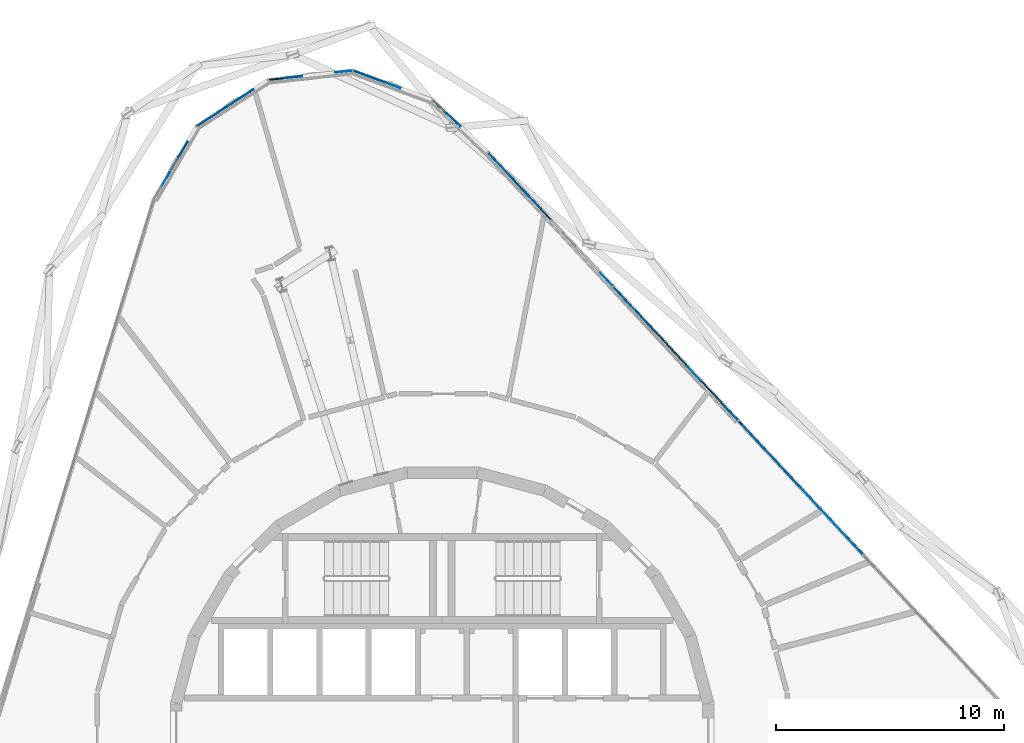
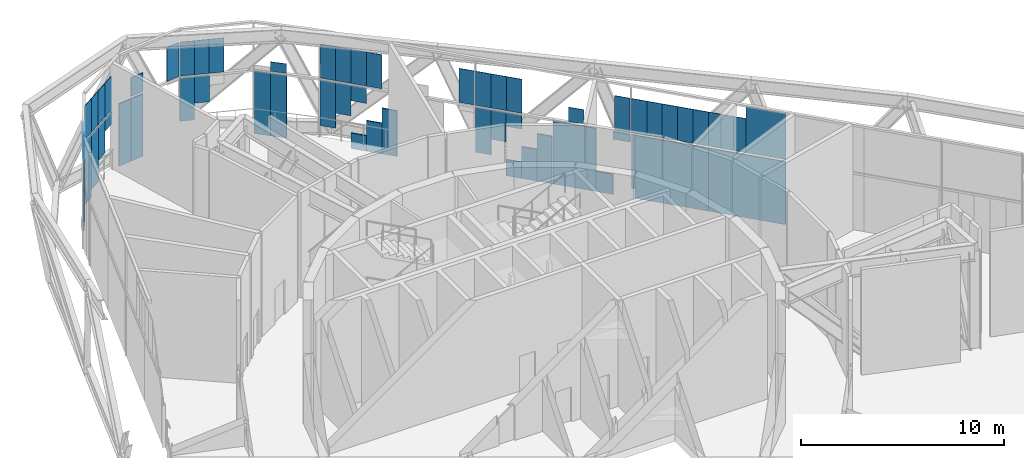
# One storey, part 16 of 25: 61 plates, 2 elements without a shape of their own.
"""IFC4 building model written with IfcOpenShell, lengths in metres."""

from ifc_helpers import new_model, si_unit, direction, frame, origin, origin_2d, place, context, subcontext, project, spatial, rectangle, extrude, material, layer, layer_set, type_object, element, aggregate, save


model = new_model("IFC4")

# Units and contexts
model_context = context("Model", 3, precision=1e-05, world=origin(), true_north=direction((0.0, 1.0)))
body_context = subcontext(model_context, "Body", "Model", "MODEL_VIEW")
ifc_project = project(units=[si_unit("LENGTHUNIT", "METRE"), si_unit("AREAUNIT", "SQUARE_METRE"), si_unit("VOLUMEUNIT", "CUBIC_METRE"), si_unit("PLANEANGLEUNIT", "RADIAN"), si_unit("MASSUNIT", "GRAM", prefix="KILO")], contexts=[model_context])

# Site, building, storey
site_placement = place(None, origin())
site = spatial("IfcSite", under=ifc_project, at=site_placement, CompositionType="ELEMENT")
building_placement = place(site_placement, origin())
building = spatial("IfcBuilding", under=site, at=building_placement, Name="Spindle Arch Residences", CompositionType="ELEMENT")
storey_placement = place(building_placement, frame((0.0, 0.0, 144.89990234375)))
storey = spatial("IfcBuildingStorey", under=building, at=storey_placement, Name="L36", CompositionType="ELEMENT", Elevation=144.89990234375)

# Curtain wall, plates
ifc_material_1 = material(Name="Aluminium bronze unitised frame with tinted glass", Category="aluminium")
ifc_layer_1 = layer(ifc_material_1, 0.159912109375)
ifc_layer_set_1 = layer_set([ifc_layer_1], Name="CW-E double-height winter garden wall")
curtain_wall_type = type_object("IfcCurtainWallType", Name="CW-E double-height winter garden wall", PredefinedType="NOTDEFINED", material=ifc_layer_set_1)
curtain_wall_1_placement = place(storey_placement, origin())
curtain_wall_1 = element("IfcCurtainWall", 1, at=curtain_wall_1_placement, inside=storey, type_object=curtain_wall_type, Name="CW-E L36 run 2", PredefinedType="NOTDEFINED")
ifc_material_2 = material(Name="Tinted laminated glass 28 mm", Category="glass")
ifc_layer_2 = layer(ifc_material_2, 0.028076171875)
ifc_layer_set_2 = layer_set([ifc_layer_2], Name="Tinted glass panel 28 mm")
plate_type_1 = type_object("IfcPlateType", Name="Tinted glass panel 28 mm", PredefinedType="CURTAIN_PANEL", material=ifc_layer_set_2)
plate_1_placement = place(storey_placement, frame((17.717529296875, 8.81689453125, 3.460205078125), z_axis=(0.0, 0.0, 1.0), x_axis=(-0.681998360062, 0.731353701619, 0.0)))
plate_1 = element("IfcPlate", 2, at=plate_1_placement, type_object=plate_type_1, Name="CW-E panel 06Ab.1", PredefinedType="CURTAIN_PANEL", context=body_context, shape_type="SweptSolid", body=[
    extrude(rectangle(XDim=2.0517578125, YDim=0.028076171875, at=origin_2d()), origin(), (0.0, 0.0, 1.0), 2.77001953125),
])
plate_2_placement = place(storey_placement, frame((16.798095703125, 9.802734375, 3.460205078125), z_axis=(0.0, 0.0, 1.0), x_axis=(-0.681998360062, 0.731353701619, 0.0)))
plate_2 = element("IfcPlate", 3, at=plate_2_placement, type_object=plate_type_1, Name="CW-E panel 06Ab.2", PredefinedType="CURTAIN_PANEL", context=body_context, shape_type="SweptSolid", body=[
    extrude(rectangle(XDim=0.644287109375, YDim=0.028076171875, at=origin_2d()), origin(), (0.0, 0.0, 1.0), 2.0458984375),
])
plate_3_placement = place(storey_placement, frame((16.35888671875, 10.27392578125, 3.460205078125), z_axis=(0.0, 0.0, 1.0), x_axis=(-0.681998360062, 0.731353701619, 0.0)))
plate_3 = element("IfcPlate", 4, at=plate_3_placement, type_object=plate_type_1, Name="CW-E panel 06Ab.3", PredefinedType="CURTAIN_PANEL", context=body_context, shape_type="SweptSolid", body=[
    extrude(rectangle(XDim=0.644287109375, YDim=0.028076171875, at=origin_2d()), origin(), (0.0, 0.0, 1.0), 2.0458984375),
])
plate_4_placement = place(storey_placement, frame((15.91943359375, 10.7451171875, 3.460205078125), z_axis=(0.0, 0.0, 1.0), x_axis=(-0.681998360062, 0.731353701619, 0.0)))
plate_4 = element("IfcPlate", 5, at=plate_4_placement, type_object=plate_type_1, Name="CW-E panel 06Ab.4", PredefinedType="CURTAIN_PANEL", context=body_context, shape_type="SweptSolid", body=[
    extrude(rectangle(XDim=0.644287109375, YDim=0.028076171875, at=origin_2d()), origin(), (0.0, 0.0, 1.0), 2.0458984375),
])
plate_5_placement = place(storey_placement, frame((15.427978515625, 11.272216796875, 3.460205078125), z_axis=(0.0, 0.0, 1.0), x_axis=(-0.681998360062, 0.731353701619, 0.0)))
plate_5 = element("IfcPlate", 6, at=plate_5_placement, type_object=plate_type_1, Name="CW-E panel 06Bb.1", PredefinedType="CURTAIN_PANEL", context=body_context, shape_type="SweptSolid", body=[
    extrude(rectangle(XDim=0.796875, YDim=0.028076171875, at=origin_2d()), origin(), (0.0, 0.0, 1.0), 2.0458984375),
])
plate_6_placement = place(storey_placement, frame((14.884521484375, 11.85498046875, 3.460205078125), z_axis=(0.0, 0.0, 1.0), x_axis=(-0.681998360062, 0.731353701619, 0.0)))
plate_6 = element("IfcPlate", 7, at=plate_6_placement, type_object=plate_type_1, Name="CW-E panel 06Bb.2", PredefinedType="CURTAIN_PANEL", context=body_context, shape_type="SweptSolid", body=[
    extrude(rectangle(XDim=0.796875, YDim=0.028076171875, at=origin_2d()), origin(), (0.0, 0.0, 1.0), 2.0458984375),
])
plate_7_placement = place(storey_placement, frame((14.341064453125, 12.437744140625, 3.460205078125), z_axis=(0.0, 0.0, 1.0), x_axis=(-0.681998360062, 0.731353701619, 0.0)))
plate_7 = element("IfcPlate", 8, at=plate_7_placement, type_object=plate_type_1, Name="CW-E panel 06Bb.3", PredefinedType="CURTAIN_PANEL", context=body_context, shape_type="SweptSolid", body=[
    extrude(rectangle(XDim=0.796875, YDim=0.028076171875, at=origin_2d()), origin(), (0.0, 0.0, 1.0), 2.0458984375),
])
plate_8_placement = place(storey_placement, frame((13.797607421875, 13.020751953125, 3.460205078125), z_axis=(0.0, 0.0, 1.0), x_axis=(-0.681998360062, 0.731353701619, 0.0)))
plate_8 = element("IfcPlate", 9, at=plate_8_placement, type_object=plate_type_1, Name="CW-E panel 06Bb.4", PredefinedType="CURTAIN_PANEL", context=body_context, shape_type="SweptSolid", body=[
    extrude(rectangle(XDim=0.796875, YDim=0.028076171875, at=origin_2d()), origin(), (0.0, 0.0, 1.0), 2.0458984375),
])
plate_9_placement = place(storey_placement, frame((13.25390625, 13.603515625, 3.460205078125), z_axis=(0.0, 0.0, 1.0), x_axis=(-0.681998360062, 0.731353701619, 0.0)))
plate_9 = element("IfcPlate", 10, at=plate_9_placement, type_object=plate_type_1, Name="CW-E panel 06Bb.5", PredefinedType="CURTAIN_PANEL", context=body_context, shape_type="SweptSolid", body=[
    extrude(rectangle(XDim=0.796875, YDim=0.028076171875, at=origin_2d()), origin(), (0.0, 0.0, 1.0), 2.0458984375),
])
plate_10_placement = place(storey_placement, frame((12.669677734375, 14.230224609375, 3.460205078125), z_axis=(0.0, 0.0, 1.0), x_axis=(-0.681998360062, 0.731353701619, 0.0)))
plate_10 = element("IfcPlate", 11, at=plate_10_placement, type_object=plate_type_1, Name="CW-E panel 07Ab.1", PredefinedType="CURTAIN_PANEL", context=body_context, shape_type="SweptSolid", body=[
    extrude(rectangle(XDim=0.796875, YDim=0.028076171875, at=origin_2d()), origin(), (0.0, 0.0, 1.0), 2.0458984375),
])
plate_11_placement = place(storey_placement, frame((11.0390625, 15.978759765625, 3.460205078125), z_axis=(0.0, 0.0, 1.0), x_axis=(-0.681998360062, 0.731353701619, 0.0)))
plate_11 = element("IfcPlate", 12, at=plate_11_placement, type_object=plate_type_1, Name="CW-E panel 07Ab.2", PredefinedType="CURTAIN_PANEL", context=body_context, shape_type="SweptSolid", body=[
    extrude(rectangle(XDim=0.796875, YDim=0.028076171875, at=origin_2d()), origin(), (0.0, 0.0, 1.0), 0.865234375),
])
plate_12_placement = place(storey_placement, frame((8.864990234375, 18.31005859375, 3.460205078125), z_axis=(0.0, 0.0, 1.0), x_axis=(-0.681998360062, 0.731353701619, 0.0)))
plate_12 = element("IfcPlate", 13, at=plate_12_placement, type_object=plate_type_1, Name="CW-E panel 07Bb.1", PredefinedType="CURTAIN_PANEL", context=body_context, shape_type="SweptSolid", body=[
    extrude(rectangle(XDim=0.796875, YDim=0.028076171875, at=origin_2d()), origin(), (0.0, 0.0, 1.0), 2.0458984375),
])
plate_13_placement = place(storey_placement, frame((8.321533203125, 18.892822265625, 3.460205078125), z_axis=(0.0, 0.0, 1.0), x_axis=(-0.681998360062, 0.731353701619, 0.0)))
plate_13 = element("IfcPlate", 14, at=plate_13_placement, type_object=plate_type_1, Name="CW-E panel 07Bb.2", PredefinedType="CURTAIN_PANEL", context=body_context, shape_type="SweptSolid", body=[
    extrude(rectangle(XDim=0.796875, YDim=0.028076171875, at=origin_2d()), origin(), (0.0, 0.0, 1.0), 2.0458984375),
])
plate_14_placement = place(storey_placement, frame((7.778076171875, 19.4755859375, 3.460205078125), z_axis=(0.0, 0.0, 1.0), x_axis=(-0.681998360062, 0.731353701619, 0.0)))
plate_14 = element("IfcPlate", 15, at=plate_14_placement, type_object=plate_type_1, Name="CW-E panel 07Bb.3", PredefinedType="CURTAIN_PANEL", context=body_context, shape_type="SweptSolid", body=[
    extrude(rectangle(XDim=0.796875, YDim=0.028076171875, at=origin_2d()), origin(), (0.0, 0.0, 1.0), 2.0458984375),
])
plate_15_placement = place(storey_placement, frame((7.193603515625, 20.102294921875, 3.460205078125), z_axis=(0.0, 0.0, 1.0), x_axis=(-0.681998360062, 0.731353701619, 0.0)))
plate_15 = element("IfcPlate", 16, at=plate_15_placement, type_object=plate_type_1, Name="CW-E panel 08Ab.1", PredefinedType="CURTAIN_PANEL", context=body_context, shape_type="SweptSolid", body=[
    extrude(rectangle(XDim=0.796875, YDim=0.028076171875, at=origin_2d()), origin(), (0.0, 0.0, 1.0), 2.0458984375),
])
plate_16_placement = place(storey_placement, frame((3.9326171875, 23.599365234375, 3.460205078125), z_axis=(0.0, 0.0, 1.0), x_axis=(-0.681998360062, 0.731353701619, 0.0)))
plate_16 = element("IfcPlate", 17, at=plate_16_placement, type_object=plate_type_1, Name="CW-E panel 08Bb.1", PredefinedType="CURTAIN_PANEL", context=body_context, shape_type="SweptSolid", body=[
    extrude(rectangle(XDim=0.796875, YDim=0.028076171875, at=origin_2d()), origin(), (0.0, 0.0, 1.0), 2.0458984375),
])
plate_17_placement = place(storey_placement, frame((3.38916015625, 24.18212890625, 3.460205078125), z_axis=(0.0, 0.0, 1.0), x_axis=(-0.681998360062, 0.731353701619, 0.0)))
plate_17 = element("IfcPlate", 18, at=plate_17_placement, type_object=plate_type_1, Name="CW-E panel 08Bb.2", PredefinedType="CURTAIN_PANEL", context=body_context, shape_type="SweptSolid", body=[
    extrude(rectangle(XDim=0.796875, YDim=0.028076171875, at=origin_2d()), origin(), (0.0, 0.0, 1.0), 2.0458984375),
])
plate_18_placement = place(storey_placement, frame((2.845703125, 24.764892578125, 3.460205078125), z_axis=(0.0, 0.0, 1.0), x_axis=(-0.681998360062, 0.731353701619, 0.0)))
plate_18 = element("IfcPlate", 19, at=plate_18_placement, type_object=plate_type_1, Name="CW-E panel 08Bb.3", PredefinedType="CURTAIN_PANEL", context=body_context, shape_type="SweptSolid", body=[
    extrude(rectangle(XDim=0.796875, YDim=0.028076171875, at=origin_2d()), origin(), (0.0, 0.0, 1.0), 2.0458984375),
])
plate_19_placement = place(storey_placement, frame((2.30224609375, 25.347900390625, 3.460205078125), z_axis=(0.0, 0.0, 1.0), x_axis=(-0.681998360062, 0.731353701619, 0.0)))
plate_19 = element("IfcPlate", 20, at=plate_19_placement, type_object=plate_type_1, Name="CW-E panel 08Bb.4", PredefinedType="CURTAIN_PANEL", context=body_context, shape_type="SweptSolid", body=[
    extrude(rectangle(XDim=0.796875, YDim=0.028076171875, at=origin_2d()), origin(), (0.0, 0.0, 1.0), 2.0458984375),
])

curtain_wall_2_placement = place(storey_placement, origin())
curtain_wall_2 = element("IfcCurtainWall", 21, at=curtain_wall_2_placement, inside=storey, type_object=curtain_wall_type, Name="CW-E L36 run 3", PredefinedType="NOTDEFINED")
plate_20_placement = place(storey_placement, frame((0.496337890625, 27.08544921875, 3.460205078125), z_axis=(0.0, 0.0, 1.0), x_axis=(-0.728270412102, 0.685289870681, 0.0)))
plate_20 = element("IfcPlate", 22, at=plate_20_placement, type_object=plate_type_1, Name="CW-E panel 00b.1", PredefinedType="CURTAIN_PANEL", context=body_context, shape_type="SweptSolid", body=[
    extrude(rectangle(XDim=0.8193359375, YDim=0.028076171875, at=origin_2d()), origin(), (0.0, 0.0, 1.0), 0.56591796875),
])
plate_21_placement = place(storey_placement, frame((-2.16796875, 28.595703125, 3.460205078125), z_axis=(0.0, 0.0, 1.0), x_axis=(-0.937686936403, 0.347481235896, 0.0)))
plate_21 = element("IfcPlate", 23, at=plate_21_placement, type_object=plate_type_1, Name="CW-E panel 01b.1", PredefinedType="CURTAIN_PANEL", context=body_context, shape_type="SweptSolid", body=[
    extrude(rectangle(XDim=0.7333984375, YDim=0.028076171875, at=origin_2d()), origin(), (0.0, 0.0, 1.0), 2.0458984375),
])
plate_22_placement = place(storey_placement, frame((-2.85546875, 28.8505859375, 3.460205078125), z_axis=(0.0, 0.0, 1.0), x_axis=(-0.937686936403, 0.347481235896, 0.0)))
plate_22 = element("IfcPlate", 24, at=plate_22_placement, type_object=plate_type_1, Name="CW-E panel 01b.2", PredefinedType="CURTAIN_PANEL", context=body_context, shape_type="SweptSolid", body=[
    extrude(rectangle(XDim=0.7333984375, YDim=0.028076171875, at=origin_2d()), origin(), (0.0, 0.0, 1.0), 2.0458984375),
])
plate_23_placement = place(storey_placement, frame((-3.543212890625, 29.10546875, 3.460205078125), z_axis=(0.0, 0.0, 1.0), x_axis=(-0.937686936403, 0.347481235896, 0.0)))
plate_23 = element("IfcPlate", 25, at=plate_23_placement, type_object=plate_type_1, Name="CW-E panel 01b.3", PredefinedType="CURTAIN_PANEL", context=body_context, shape_type="SweptSolid", body=[
    extrude(rectangle(XDim=0.7333984375, YDim=0.028076171875, at=origin_2d()), origin(), (0.0, 0.0, 1.0), 2.0458984375),
])
plate_24_placement = place(storey_placement, frame((-4.309326171875, 29.199462890625, 3.460205078125), z_axis=(0.0, 0.0, 1.0), x_axis=(-0.993896946294, -0.110312556619, 0.0)))
plate_24 = element("IfcPlate", 26, at=plate_24_placement, type_object=plate_type_1, Name="CW-E panel 02b.1", PredefinedType="CURTAIN_PANEL", context=body_context, shape_type="SweptSolid", body=[
    extrude(rectangle(XDim=0.7333984375, YDim=0.028076171875, at=origin_2d()), origin(), (0.0, 0.0, 1.0), 2.0458984375),
])
plate_25_placement = place(storey_placement, frame((-6.49609375, 28.956787109375, 3.4599609375), z_axis=(0.0, 0.0, 1.0), x_axis=(-0.993896946294, -0.110312556619, 0.0)))
plate_25 = element("IfcPlate", 27, at=plate_25_placement, type_object=plate_type_1, Name="CW-E panel 02b.2", PredefinedType="CURTAIN_PANEL", context=body_context, shape_type="SweptSolid", body=[
    extrude(rectangle(XDim=0.7333984375, YDim=0.028076171875, at=origin_2d()), origin(), (0.0, 0.0, 1.0), 1.145263671875),
])
plate_26_placement = place(storey_placement, frame((-8.56689453125, 28.216796875, 3.460205078125), z_axis=(0.0, 0.0, 1.0), x_axis=(-0.838670567755, -0.544639035308, 0.0)))
plate_26 = element("IfcPlate", 28, at=plate_26_placement, type_object=plate_type_1, Name="CW-E panel 03b.1", PredefinedType="CURTAIN_PANEL", context=body_context, shape_type="SweptSolid", body=[
    extrude(rectangle(XDim=0.7333984375, YDim=0.028076171875, at=origin_2d()), origin(), (0.0, 0.0, 1.0), 2.0458984375),
])
plate_27_placement = place(storey_placement, frame((-9.181884765625, 27.8173828125, 3.460205078125), z_axis=(0.0, 0.0, 1.0), x_axis=(-0.838670567755, -0.544639035308, 0.0)))
plate_27 = element("IfcPlate", 29, at=plate_27_placement, type_object=plate_type_1, Name="CW-E panel 03b.2", PredefinedType="CURTAIN_PANEL", context=body_context, shape_type="SweptSolid", body=[
    extrude(rectangle(XDim=0.7333984375, YDim=0.028076171875, at=origin_2d()), origin(), (0.0, 0.0, 1.0), 2.0458984375),
])
plate_28_placement = place(storey_placement, frame((-9.796875, 27.41796875, 3.460205078125), z_axis=(0.0, 0.0, 1.0), x_axis=(-0.838670567755, -0.544639035308, 0.0)))
plate_28 = element("IfcPlate", 30, at=plate_28_placement, type_object=plate_type_1, Name="CW-E panel 03b.3", PredefinedType="CURTAIN_PANEL", context=body_context, shape_type="SweptSolid", body=[
    extrude(rectangle(XDim=0.7333984375, YDim=0.028076171875, at=origin_2d()), origin(), (0.0, 0.0, 1.0), 2.0458984375),
])
plate_29_placement = place(storey_placement, frame((-10.411865234375, 27.0185546875, 3.460205078125), z_axis=(0.0, 0.0, 1.0), x_axis=(-0.838670567755, -0.544639035308, 0.0)))
plate_29 = element("IfcPlate", 31, at=plate_29_placement, type_object=plate_type_1, Name="CW-E panel 03b.4", PredefinedType="CURTAIN_PANEL", context=body_context, shape_type="SweptSolid", body=[
    extrude(rectangle(XDim=0.7333984375, YDim=0.028076171875, at=origin_2d()), origin(), (0.0, 0.0, 1.0), 2.0458984375),
])
plate_30_placement = place(storey_placement, frame((-11.343017578125, 25.77978515625, 3.4599609375), z_axis=(0.0, 0.0, 1.0), x_axis=(-0.505029844161, -0.863101880723, 0.0)))
plate_30 = element("IfcPlate", 32, at=plate_30_placement, type_object=plate_type_1, Name="CW-E panel 04b.1", PredefinedType="CURTAIN_PANEL", context=body_context, shape_type="SweptSolid", body=[
    extrude(rectangle(XDim=0.77001953125, YDim=0.028076171875, at=origin_2d()), origin(), (0.0, 0.0, 1.0), 1.062744140625),
])
plate_31_placement = place(storey_placement, frame((-12.120849609375, 24.45068359375, 4.59814453125), z_axis=(0.0, 0.0, 1.0), x_axis=(-0.505029844161, -0.863101880723, 0.0)))
plate_31 = element("IfcPlate", 33, at=plate_31_placement, type_object=plate_type_1, Name="CW-E panel 04b.3", PredefinedType="CURTAIN_PANEL", context=body_context, shape_type="SweptSolid", body=[
    extrude(rectangle(XDim=0.77001953125, YDim=0.028076171875, at=origin_2d()), origin(), (0.0, 0.0, 1.0), 1.6318359375),
])

# Plate
ifc_material_3 = material(Name="Tinted double glazing over aluminium faced non-combustible spandrel zone (K0)", Category="aluminium")
ifc_layer_3 = layer(ifc_material_3, 0.06005859375)
ifc_layer_set_3 = layer_set([ifc_layer_3], Name="Unitised glass panel with E 60 spandrel zone")
plate_type_2 = type_object("IfcPlateType", Name="Unitised glass panel with E 60 spandrel zone", PredefinedType="CURTAIN_PANEL", material=ifc_layer_set_3)
plate_32_placement = place(storey_placement, frame((17.05859375, 9.523681640625, -0.449951171875), z_axis=(0.0, 0.0, 1.0), x_axis=(-0.681998360062, 0.731353701619, 0.0)))
plate_32 = element("IfcPlate", 34, at=plate_32_placement, type_object=plate_type_2, Name="CW-E unit 06Aa", PredefinedType="CURTAIN_PANEL", context=body_context, shape_type="SweptSolid", body=[
    extrude(rectangle(XDim=3.984619140625, YDim=0.06005859375, at=origin_2d()), origin(), (0.0, 0.0, 1.0), 3.7900390625),
])

plate_33_placement = place(storey_placement, frame((14.40625, 12.367919921875, -0.449951171875), z_axis=(0.0, 0.0, 1.0), x_axis=(-0.681998360062, 0.731353701619, 0.0)))
plate_33 = element("IfcPlate", 35, at=plate_33_placement, type_object=plate_type_2, Name="CW-E panel 06Ba.1", PredefinedType="CURTAIN_PANEL", context=body_context, shape_type="SweptSolid", body=[
    extrude(rectangle(XDim=3.793212890625, YDim=0.06005859375, at=origin_2d()), origin(), (0.0, 0.0, 1.0), 3.7900390625),
])

plate_34_placement = place(storey_placement, frame((13.04736328125, 13.824951171875, 0.11572265625), z_axis=(0.0, 0.0, 1.0), x_axis=(-0.681998360062, 0.731353701619, 0.0)))
plate_34 = element("IfcPlate", 36, at=plate_34_placement, type_object=plate_type_2, Name="CW-E panel 06Ba.2", PredefinedType="CURTAIN_PANEL", context=body_context, shape_type="SweptSolid", body=[
    extrude(rectangle(XDim=0.191162109375, YDim=0.06005859375, at=origin_2d()), origin(), (0.0, 0.0, 1.0), 3.224365234375),
])

plate_35_placement = place(storey_placement, frame((12.643310546875, 14.25830078125, 2.878173828125), z_axis=(0.0, 0.0, 1.0), x_axis=(-0.681998360062, 0.731353701619, 0.0)))
plate_35 = element("IfcPlate", 37, at=plate_35_placement, type_object=plate_type_2, Name="CW-E panel 07Aa.1", PredefinedType="CURTAIN_PANEL", context=body_context, shape_type="SweptSolid", body=[
    extrude(rectangle(XDim=0.8740234375, YDim=0.06005859375, at=origin_2d()), origin(), (0.0, 0.0, 1.0), 0.4619140625),
])

plate_36_placement = place(storey_placement, frame((12.04736328125, 14.8974609375, -0.449951171875), z_axis=(0.0, 0.0, 1.0), x_axis=(-0.681998360062, 0.731353701619, 0.0)))
plate_36 = element("IfcPlate", 38, at=plate_36_placement, type_object=plate_type_2, Name="CW-E panel 07Aa.2", PredefinedType="CURTAIN_PANEL", context=body_context, shape_type="SweptSolid", body=[
    extrude(rectangle(XDim=0.8740234375, YDim=0.06005859375, at=origin_2d()), origin(), (0.0, 0.0, 1.0), 1.205078125),
])

plate_37_placement = place(storey_placement, frame((10.986572265625, 16.034912109375, -0.449951171875), z_axis=(0.0, 0.0, 1.0), x_axis=(-0.681998360062, 0.731353701619, 0.0)))
plate_37 = element("IfcPlate", 39, at=plate_37_placement, type_object=plate_type_2, Name="CW-E panel 07Aa.3", PredefinedType="CURTAIN_PANEL", context=body_context, shape_type="SweptSolid", body=[
    extrude(rectangle(XDim=2.236572265625, YDim=0.06005859375, at=origin_2d()), origin(), (0.0, 0.0, 1.0), 3.7900390625),
])

plate_38_placement = place(storey_placement, frame((9.931640625, 17.166259765625, -0.44970703125), z_axis=(0.0, 0.0, 1.0), x_axis=(-0.681998360062, 0.731353701619, 0.0)))
plate_38 = element("IfcPlate", 40, at=plate_38_placement, type_object=plate_type_2, Name="CW-E panel 07Ba.1", PredefinedType="CURTAIN_PANEL", context=body_context, shape_type="SweptSolid", body=[
    extrude(rectangle(XDim=0.790283203125, YDim=0.06005859375, at=origin_2d()), origin(), (0.0, 0.0, 1.0), 2.852294921875),
])

plate_39_placement = place(storey_placement, frame((9.392578125, 17.744140625, -0.44970703125), z_axis=(0.0, 0.0, 1.0), x_axis=(-0.681998360062, 0.731353701619, 0.0)))
plate_39 = element("IfcPlate", 41, at=plate_39_placement, type_object=plate_type_2, Name="CW-E panel 07Ba.2", PredefinedType="CURTAIN_PANEL", context=body_context, shape_type="SweptSolid", body=[
    extrude(rectangle(XDim=0.790283203125, YDim=0.06005859375, at=origin_2d()), origin(), (0.0, 0.0, 1.0), 1.914306640625),
])

plate_40_placement = place(storey_placement, frame((8.853759765625, 18.322265625, -0.449951171875), z_axis=(0.0, 0.0, 1.0), x_axis=(-0.681998360062, 0.731353701619, 0.0)))
plate_40 = element("IfcPlate", 42, at=plate_40_placement, type_object=plate_type_2, Name="CW-E panel 07Ba.3", PredefinedType="CURTAIN_PANEL", context=body_context, shape_type="SweptSolid", body=[
    extrude(rectangle(XDim=0.790283203125, YDim=0.06005859375, at=origin_2d()), origin(), (0.0, 0.0, 1.0), 0.9765625),
])

plate_41_placement = place(storey_placement, frame((8.853759765625, 18.322265625, 2.519775390625), z_axis=(0.0, 0.0, 1.0), x_axis=(-0.681998360062, 0.731353701619, 0.0)))
plate_41 = element("IfcPlate", 43, at=plate_41_placement, type_object=plate_type_2, Name="CW-E panel 07Ba.4", PredefinedType="CURTAIN_PANEL", context=body_context, shape_type="SweptSolid", body=[
    extrude(rectangle(XDim=0.790283203125, YDim=0.06005859375, at=origin_2d()), origin(), (0.0, 0.0, 1.0), 0.8203125),
])

plate_42_placement = place(storey_placement, frame((8.314697265625, 18.900146484375, 1.58203125), z_axis=(0.0, 0.0, 1.0), x_axis=(-0.681998360062, 0.731353701619, 0.0)))
plate_42 = element("IfcPlate", 44, at=plate_42_placement, type_object=plate_type_2, Name="CW-E panel 07Ba.5", PredefinedType="CURTAIN_PANEL", context=body_context, shape_type="SweptSolid", body=[
    extrude(rectangle(XDim=0.790283203125, YDim=0.06005859375, at=origin_2d()), origin(), (0.0, 0.0, 1.0), 1.758056640625),
])

plate_43_placement = place(storey_placement, frame((7.77587890625, 19.47802734375, 0.64404296875), z_axis=(0.0, 0.0, 1.0), x_axis=(-0.681998360062, 0.731353701619, 0.0)))
plate_43 = element("IfcPlate", 45, at=plate_43_placement, type_object=plate_type_2, Name="CW-E panel 07Ba.6", PredefinedType="CURTAIN_PANEL", context=body_context, shape_type="SweptSolid", body=[
    extrude(rectangle(XDim=0.790283203125, YDim=0.06005859375, at=origin_2d()), origin(), (0.0, 0.0, 1.0), 2.696044921875),
])

plate_44_placement = place(storey_placement, frame((4.476318359375, 23.016357421875, -0.44970703125), z_axis=(0.0, 0.0, 1.0), x_axis=(-0.681998360062, 0.731353701619, 0.0)))
plate_44 = element("IfcPlate", 46, at=plate_44_placement, type_object=plate_type_2, Name="CW-E panel 08Ba.1", PredefinedType="CURTAIN_PANEL", context=body_context, shape_type="SweptSolid", body=[
    extrude(rectangle(XDim=0.796875, YDim=0.06005859375, at=origin_2d()), origin(), (0.0, 0.0, 1.0), 2.754150390625),
])

plate_45_placement = place(storey_placement, frame((3.9326171875, 23.599365234375, -0.4501953125), z_axis=(0.0, 0.0, 1.0), x_axis=(-0.681998360062, 0.731353701619, 0.0)))
plate_45 = element("IfcPlate", 47, at=plate_45_placement, type_object=plate_type_2, Name="CW-E panel 08Ba.2", PredefinedType="CURTAIN_PANEL", context=body_context, shape_type="SweptSolid", body=[
    extrude(rectangle(XDim=0.796875, YDim=0.06005859375, at=origin_2d()), origin(), (0.0, 0.0, 1.0), 1.843505859375),
])

plate_46_placement = place(storey_placement, frame((3.38916015625, 24.18212890625, -0.449951171875), z_axis=(0.0, 0.0, 1.0), x_axis=(-0.681998360062, 0.731353701619, 0.0)))
plate_46 = element("IfcPlate", 48, at=plate_46_placement, type_object=plate_type_2, Name="CW-E panel 08Ba.3", PredefinedType="CURTAIN_PANEL", context=body_context, shape_type="SweptSolid", body=[
    extrude(rectangle(XDim=0.796875, YDim=0.06005859375, at=origin_2d()), origin(), (0.0, 0.0, 1.0), 0.9326171875),
])

plate_47_placement = place(storey_placement, frame((3.38916015625, 24.18212890625, 2.42626953125), z_axis=(0.0, 0.0, 1.0), x_axis=(-0.681998360062, 0.731353701619, 0.0)))
plate_47 = element("IfcPlate", 49, at=plate_47_placement, type_object=plate_type_2, Name="CW-E panel 08Ba.4", PredefinedType="CURTAIN_PANEL", context=body_context, shape_type="SweptSolid", body=[
    extrude(rectangle(XDim=0.796875, YDim=0.06005859375, at=origin_2d()), origin(), (0.0, 0.0, 1.0), 0.913818359375),
])

plate_48_placement = place(storey_placement, frame((2.845703125, 24.764892578125, 1.515380859375), z_axis=(0.0, 0.0, 1.0), x_axis=(-0.681998360062, 0.731353701619, 0.0)))
plate_48 = element("IfcPlate", 50, at=plate_48_placement, type_object=plate_type_2, Name="CW-E panel 08Ba.5", PredefinedType="CURTAIN_PANEL", context=body_context, shape_type="SweptSolid", body=[
    extrude(rectangle(XDim=0.796875, YDim=0.06005859375, at=origin_2d()), origin(), (0.0, 0.0, 1.0), 1.82470703125),
])

plate_49_placement = place(storey_placement, frame((2.30224609375, 25.347900390625, 0.6044921875), z_axis=(0.0, 0.0, 1.0), x_axis=(-0.681998360062, 0.731353701619, 0.0)))
plate_49 = element("IfcPlate", 51, at=plate_49_placement, type_object=plate_type_2, Name="CW-E panel 08Ba.6", PredefinedType="CURTAIN_PANEL", context=body_context, shape_type="SweptSolid", body=[
    extrude(rectangle(XDim=0.796875, YDim=0.06005859375, at=origin_2d()), origin(), (0.0, 0.0, 1.0), 2.735595703125),
])

aggregate(curtain_wall_1, [plate_32, plate_1, plate_2, plate_3, plate_4, plate_33, plate_34, plate_5, plate_6, plate_7, plate_8, plate_9, plate_35, plate_36, plate_37, plate_10, plate_11, plate_38, plate_39, plate_40, plate_41, plate_42, plate_43, plate_12, plate_13, plate_14, plate_15, plate_44, plate_45, plate_46, plate_47, plate_48, plate_49, plate_16, plate_17, plate_18, plate_19])

plate_50_placement = place(storey_placement, frame((0.496337890625, 27.08544921875, -0.419921875), z_axis=(0.0, 0.0, 1.0), x_axis=(-0.728270412102, 0.685289870681, 0.0)))
plate_50 = element("IfcPlate", 52, at=plate_50_placement, type_object=plate_type_2, Name="CW-E panel 00a.1", PredefinedType="CURTAIN_PANEL", context=body_context, shape_type="SweptSolid", body=[
    extrude(rectangle(XDim=0.8193359375, YDim=0.06005859375, at=origin_2d()), origin(), (0.0, 0.0, 1.0), 3.760009765625),
])

plate_51_placement = place(storey_placement, frame((-0.100341796875, 27.64697265625, -0.419921875), z_axis=(0.0, 0.0, 1.0), x_axis=(-0.728270412102, 0.685289870681, 0.0)))
plate_51 = element("IfcPlate", 53, at=plate_51_placement, type_object=plate_type_2, Name="CW-E panel 00a.2", PredefinedType="CURTAIN_PANEL", context=body_context, shape_type="SweptSolid", body=[
    extrude(rectangle(XDim=0.8193359375, YDim=0.06005859375, at=origin_2d()), origin(), (0.0, 0.0, 1.0), 3.760009765625),
])

plate_52_placement = place(storey_placement, frame((-2.85546875, 28.8505859375, 1.760986328125), z_axis=(0.0, 0.0, 1.0), x_axis=(-0.937686936403, 0.347481235896, 0.0)))
plate_52 = element("IfcPlate", 54, at=plate_52_placement, type_object=plate_type_2, Name="CW-E panel 01a.2", PredefinedType="CURTAIN_PANEL", context=body_context, shape_type="SweptSolid", body=[
    extrude(rectangle(XDim=0.7333984375, YDim=0.06005859375, at=origin_2d()), origin(), (0.0, 0.0, 1.0), 1.5791015625),
])

plate_53_placement = place(storey_placement, frame((-3.543212890625, 29.10546875, 0.7529296875), z_axis=(0.0, 0.0, 1.0), x_axis=(-0.937686936403, 0.347481235896, 0.0)))
plate_53 = element("IfcPlate", 55, at=plate_53_placement, type_object=plate_type_2, Name="CW-E panel 01a.3", PredefinedType="CURTAIN_PANEL", context=body_context, shape_type="SweptSolid", body=[
    extrude(rectangle(XDim=0.7333984375, YDim=0.06005859375, at=origin_2d()), origin(), (0.0, 0.0, 1.0), 2.587158203125),
])

plate_54_placement = place(storey_placement, frame((-6.49609375, 28.956787109375, -0.419921875), z_axis=(0.0, 0.0, 1.0), x_axis=(-0.993896946294, -0.110312556619, 0.0)))
plate_54 = element("IfcPlate", 56, at=plate_54_placement, type_object=plate_type_2, Name="CW-E panel 02a.2", PredefinedType="CURTAIN_PANEL", context=body_context, shape_type="SweptSolid", body=[
    extrude(rectangle(XDim=0.7333984375, YDim=0.06005859375, at=origin_2d()), origin(), (0.0, 0.0, 1.0), 3.760009765625),
])

plate_55_placement = place(storey_placement, frame((-7.224853515625, 28.8759765625, -0.419921875), z_axis=(0.0, 0.0, 1.0), x_axis=(-0.993896946294, -0.110312556619, 0.0)))
plate_55 = element("IfcPlate", 57, at=plate_55_placement, type_object=plate_type_2, Name="CW-E panel 02a.3", PredefinedType="CURTAIN_PANEL", context=body_context, shape_type="SweptSolid", body=[
    extrude(rectangle(XDim=0.7333984375, YDim=0.06005859375, at=origin_2d()), origin(), (0.0, 0.0, 1.0), 3.760009765625),
])

plate_56_placement = place(storey_placement, frame((-8.56689453125, 28.216796875, 2.62744140625), z_axis=(0.0, 0.0, 1.0), x_axis=(-0.838670567755, -0.544639035308, 0.0)))
plate_56 = element("IfcPlate", 58, at=plate_56_placement, type_object=plate_type_2, Name="CW-E panel 03a.1", PredefinedType="CURTAIN_PANEL", context=body_context, shape_type="SweptSolid", body=[
    extrude(rectangle(XDim=0.7333984375, YDim=0.06005859375, at=origin_2d()), origin(), (0.0, 0.0, 1.0), 0.712646484375),
])

plate_57_placement = place(storey_placement, frame((-9.181884765625, 27.8173828125, 1.3369140625), z_axis=(0.0, 0.0, 1.0), x_axis=(-0.838670567755, -0.544639035308, 0.0)))
plate_57 = element("IfcPlate", 59, at=plate_57_placement, type_object=plate_type_2, Name="CW-E panel 03a.2", PredefinedType="CURTAIN_PANEL", context=body_context, shape_type="SweptSolid", body=[
    extrude(rectangle(XDim=0.7333984375, YDim=0.06005859375, at=origin_2d()), origin(), (0.0, 0.0, 1.0), 2.003173828125),
])

plate_58_placement = place(storey_placement, frame((-9.796875, 27.41796875, 0.046142578125), z_axis=(0.0, 0.0, 1.0), x_axis=(-0.838670567755, -0.544639035308, 0.0)))
plate_58 = element("IfcPlate", 60, at=plate_58_placement, type_object=plate_type_2, Name="CW-E panel 03a.3", PredefinedType="CURTAIN_PANEL", context=body_context, shape_type="SweptSolid", body=[
    extrude(rectangle(XDim=0.7333984375, YDim=0.06005859375, at=origin_2d()), origin(), (0.0, 0.0, 1.0), 3.2939453125),
])

plate_59_placement = place(storey_placement, frame((-10.411865234375, 27.0185546875, -0.419921875), z_axis=(0.0, 0.0, 1.0), x_axis=(-0.838670567755, -0.544639035308, 0.0)))
plate_59 = element("IfcPlate", 61, at=plate_59_placement, type_object=plate_type_2, Name="CW-E panel 03a.4", PredefinedType="CURTAIN_PANEL", context=body_context, shape_type="SweptSolid", body=[
    extrude(rectangle(XDim=0.7333984375, YDim=0.06005859375, at=origin_2d()), origin(), (0.0, 0.0, 1.0), 3.760009765625),
])

plate_60_placement = place(storey_placement, frame((-11.3154296875, 25.8271484375, -0.419921875), z_axis=(0.0, 0.0, 1.0), x_axis=(-0.505029844161, -0.863101880723, 0.0)))
plate_60 = element("IfcPlate", 62, at=plate_60_placement, type_object=plate_type_2, Name="CW-E panel 04a.1", PredefinedType="CURTAIN_PANEL", context=body_context, shape_type="SweptSolid", body=[
    extrude(rectangle(XDim=0.7333984375, YDim=0.06005859375, at=origin_2d()), origin(), (0.0, 0.0, 1.0), 3.760009765625),
])

plate_61_placement = place(storey_placement, frame((-11.685791015625, 25.194091796875, -0.419921875), z_axis=(0.0, 0.0, 1.0), x_axis=(-0.505029844161, -0.863101880723, 0.0)))
plate_61 = element("IfcPlate", 63, at=plate_61_placement, type_object=plate_type_2, Name="CW-E panel 04a.2", PredefinedType="CURTAIN_PANEL", context=body_context, shape_type="SweptSolid", body=[
    extrude(rectangle(XDim=0.7333984375, YDim=0.06005859375, at=origin_2d()), origin(), (0.0, 0.0, 1.0), 3.760009765625),
])

aggregate(curtain_wall_2, [plate_50, plate_51, plate_20, plate_52, plate_53, plate_21, plate_22, plate_23, plate_54, plate_55, plate_24, plate_25, plate_56, plate_57, plate_58, plate_59, plate_26, plate_27, plate_28, plate_29, plate_60, plate_61, plate_30, plate_31])

save(model, "model.ifc")
